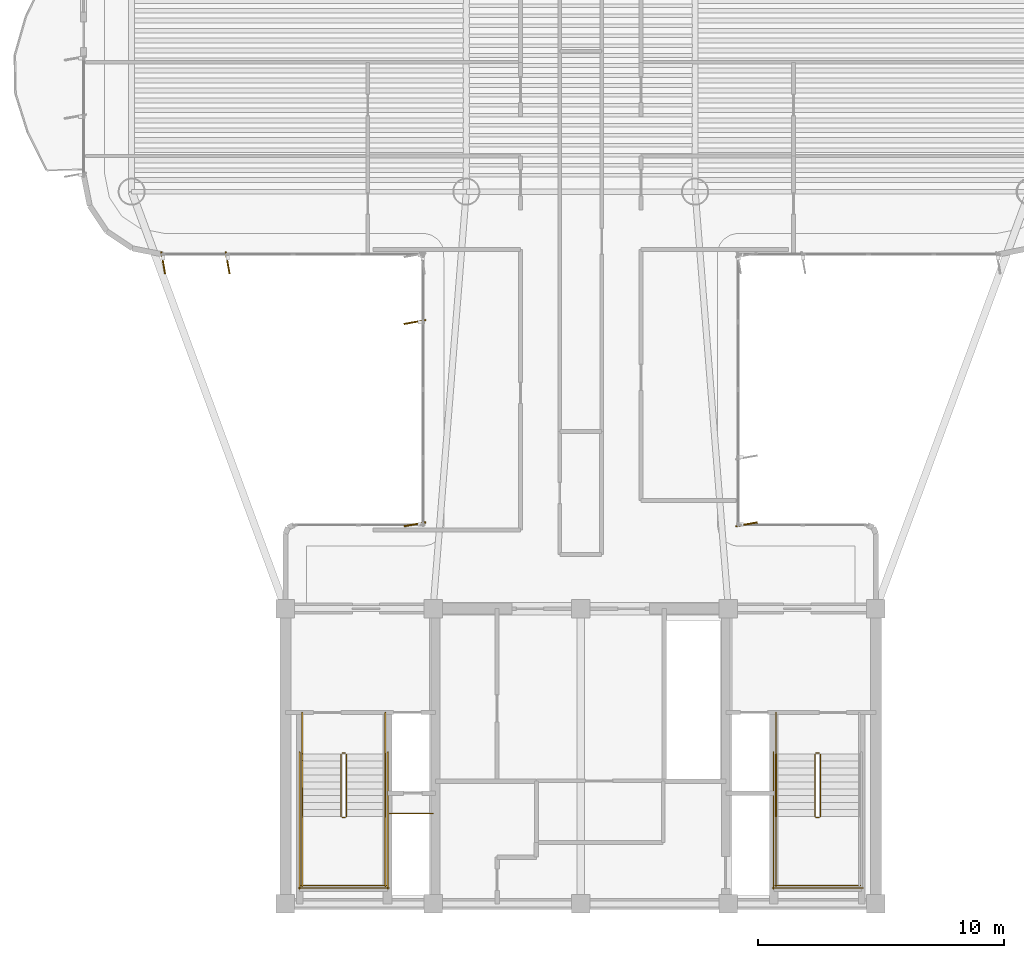
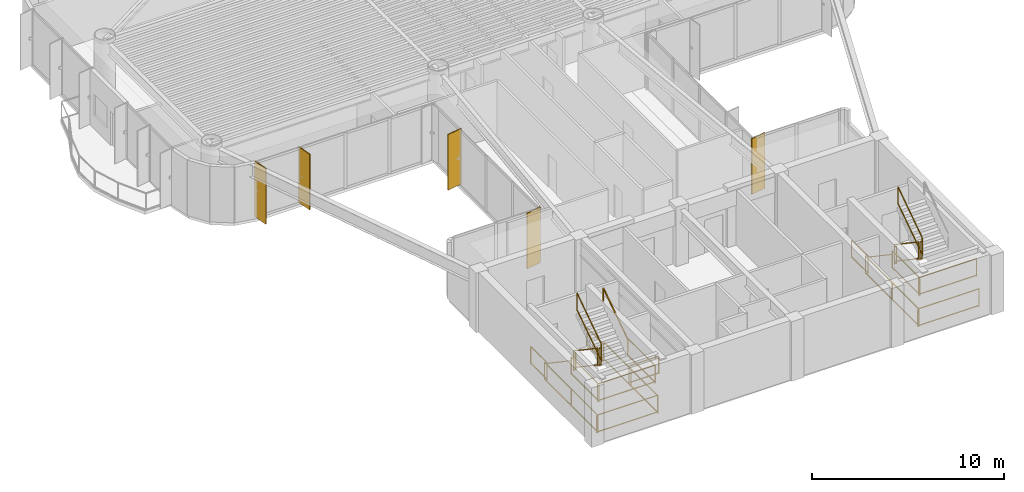
# One storey, part 13 of 14: 25 railings, 5 shading devices.
"""IFC4 building model written with IfcOpenShell, lengths in metres."""

from ifc_helpers import new_model, si_unit, direction, frame, origin, origin_2d, place, context, subcontext, project, spatial, rectangle, extrude, source, transform, mapped, material, layer, layer_set, material_profile, profile_set, type_object, element, save


model = new_model("IFC4")

# Units and contexts
model_context = context("Model", 3, precision=1e-05, world=origin(), true_north=direction((0.0, 1.0)))
body_context = subcontext(model_context, "Body", "Model", "MODEL_VIEW")
ifc_project = project(units=[si_unit("LENGTHUNIT", "METRE"), si_unit("AREAUNIT", "SQUARE_METRE"), si_unit("VOLUMEUNIT", "CUBIC_METRE"), si_unit("PLANEANGLEUNIT", "RADIAN"), si_unit("MASSUNIT", "GRAM", prefix="KILO")], contexts=[model_context])

# Site, building, storey
site_placement = place(None, origin())
site = spatial("IfcSite", under=ifc_project, at=site_placement, CompositionType="ELEMENT")
building_placement = place(site_placement, origin())
building = spatial("IfcBuilding", under=site, at=building_placement, Name="Brelvock Crest Care Tower", CompositionType="ELEMENT")
storey_placement = place(building_placement, frame((0.0, 0.0, 175.320068359375)))
storey = spatial("IfcBuildingStorey", under=building, at=storey_placement, Name="L44", CompositionType="ELEMENT", Elevation=175.320068359375)

# Railings
ifc_material_1 = material(Name="Steel Grade 350", Category="steel")
ifc_layer_1 = layer(ifc_material_1, 0.050048828125, Name="RL-STG1")
ifc_layer_set_1 = layer_set([ifc_layer_1], Name="Steel Grade 350")
railing_type_1 = type_object("IfcRailingType", Name="RL-STG1", PredefinedType="GUARDRAIL", material=ifc_layer_set_1)
railing_1_placement = place(storey_placement, frame((26.260009765625, 12.080078125, 0.18896484375)))
element("IfcRailing", 1, at=railing_1_placement, inside=storey, type_object=railing_type_1, Name="L44 ST-1 stair guard 1", PredefinedType="GUARDRAIL", context=body_context, shape_type="SweptSolid", body=[
    extrude(rectangle(XDim=0.048095703125, YDim=0.048095703125, at=origin_2d()), frame((0.0, -0.001708984375, 1.116943359375), z_axis=(0.0, -0.828861706735, 0.559453546873), x_axis=(1.0, 0.0, 0.0)), (0.0, 0.0, 1.0), 3.036376953125),
    extrude(rectangle(XDim=0.048095703125, YDim=0.048095703125, at=origin_2d()), frame((0.0, -0.001708984375, 0.05615234375), z_axis=(0.0, -0.828861706735, 0.559453546873), x_axis=(1.0, 0.0, 0.0)), (0.0, 0.0, 1.0), 3.036376953125),
    extrude(rectangle(XDim=0.0419921875, YDim=0.0419921875, at=origin_2d()), origin(), (0.0, 0.0, 1.0), 1.08984375),
    extrude(rectangle(XDim=0.0419921875, YDim=0.0419921875, at=origin_2d()), frame((0.0, -2.52001953125, 1.700927734375)), (0.0, 0.0, 1.0), 1.08984375),
])
railing_2_placement = place(storey_placement, frame((26.31005859375, 9.510009765625, 1.889892578125)))
element("IfcRailing", 2, at=railing_2_placement, inside=storey, type_object=railing_type_1, Name="L44 ST-1 stair guard 2", PredefinedType="GUARDRAIL", context=body_context, shape_type="SweptSolid", body=[
    extrude(rectangle(XDim=0.048095703125, YDim=0.048095703125, at=origin_2d()), frame((0.001953125, 0.0, 1.11572265625), z_axis=(1.0, 0.0, 0.0), x_axis=(0.0, 1.0, 0.0)), (0.0, 0.0, 1.0), 0.115966796875),
    extrude(rectangle(XDim=0.048095703125, YDim=0.048095703125, at=origin_2d()), frame((0.001953125, 0.0, 0.054931640625), z_axis=(1.0, 0.0, 0.0), x_axis=(0.0, 1.0, 0.0)), (0.0, 0.0, 1.0), 0.115966796875),
    extrude(rectangle(XDim=0.0419921875, YDim=0.0419921875, at=origin_2d()), origin(), (0.0, 0.0, 1.0), 1.08984375),
    extrude(rectangle(XDim=0.0419921875, YDim=0.0419921875, at=origin_2d()), frame((0.119873046875, 0.0, 0.0)), (0.0, 0.0, 1.0), 1.08984375),
])
for number, where, name in (
    (3, (24.679931640625, 9.56005859375, 1.889892578125), "L44 ST-1 stair guard 3"),
    (4, (28.06005859375, 9.56005859375, 1.889892578125), "L44 ST-1 stair guard 4"),
):
    element("IfcRailing", number, at=place(storey_placement, frame(where)), inside=storey, type_object=railing_type_1, Name=name, PredefinedType="GUARDRAIL", context=body_context, shape_type="SweptSolid", body=[
        extrude(rectangle(XDim=0.048095703125, YDim=0.048095703125, at=origin_2d()), frame((0.0, -0.001953125, 1.11572265625), z_axis=(0.0, -1.0, 0.0), x_axis=(1.0, 0.0, 0.0)), (0.0, 0.0, 1.0), 2.856201171875),
        extrude(rectangle(XDim=0.048095703125, YDim=0.048095703125, at=origin_2d()), frame((0.0, -0.001953125, 0.054931640625), z_axis=(0.0, -1.0, 0.0), x_axis=(1.0, 0.0, 0.0)), (0.0, 0.0, 1.0), 2.856201171875),
        extrude(rectangle(XDim=0.0419921875, YDim=0.0419921875, at=origin_2d()), origin(), (0.0, 0.0, 1.0), 1.08984375),
        extrude(rectangle(XDim=0.0419921875, YDim=0.0419921875, at=origin_2d()), frame((0.0, -2.860107421875, 0.0)), (0.0, 0.0, 1.0), 1.08984375),
    ])
railing_3_placement = place(storey_placement, frame((24.6298828125, 6.75, 1.889892578125)))
element("IfcRailing", 5, at=railing_3_placement, inside=storey, type_object=railing_type_1, Name="L44 ST-1 stair guard 5", PredefinedType="GUARDRAIL", context=body_context, shape_type="SweptSolid", body=[
    extrude(rectangle(XDim=0.048095703125, YDim=0.048095703125, at=origin_2d()), frame((0.001953125, 0.0, 1.11572265625), z_axis=(1.0, 0.0, 0.0), x_axis=(0.0, 1.0, 0.0)), (0.0, 0.0, 1.0), 3.476318359375),
    extrude(rectangle(XDim=0.048095703125, YDim=0.048095703125, at=origin_2d()), frame((0.001953125, 0.0, 0.054931640625), z_axis=(1.0, 0.0, 0.0), x_axis=(0.0, 1.0, 0.0)), (0.0, 0.0, 1.0), 3.476318359375),
    extrude(rectangle(XDim=0.0419921875, YDim=0.0419921875, at=origin_2d()), origin(), (0.0, 0.0, 1.0), 1.08984375),
    extrude(rectangle(XDim=0.0419921875, YDim=0.0419921875, at=origin_2d()), frame((3.480224609375, 0.0, 0.0)), (0.0, 0.0, 1.0), 1.08984375),
])
railing_4_placement = place(storey_placement, frame((26.47998046875, 9.56005859375, 2.078857421875)))
element("IfcRailing", 6, at=railing_4_placement, inside=storey, type_object=railing_type_1, Name="L44 ST-1 stair guard 6", PredefinedType="GUARDRAIL", context=body_context, shape_type="SweptSolid", body=[
    extrude(rectangle(XDim=0.048095703125, YDim=0.048095703125, at=origin_2d()), frame((0.0, 0.001708984375, 1.116943359375), z_axis=(0.0, 0.82882447046, 0.559508710537), x_axis=(-1.0, 0.0, 0.0)), (0.0, 0.0, 1.0), 3.036376953125),
    extrude(rectangle(XDim=0.048095703125, YDim=0.048095703125, at=origin_2d()), frame((0.0, 0.001708984375, 0.05615234375), z_axis=(0.0, 0.82882447046, 0.559508710537), x_axis=(-1.0, 0.0, 0.0)), (0.0, 0.0, 1.0), 3.036376953125),
    extrude(rectangle(XDim=0.0419921875, YDim=0.0419921875, at=origin_2d()), origin(), (0.0, 0.0, 1.0), 1.08984375),
    extrude(rectangle(XDim=0.0419921875, YDim=0.0419921875, at=origin_2d()), frame((0.0, 2.52001953125, 1.701171875)), (0.0, 0.0, 1.0), 1.08984375),
])
railing_5_placement = place(storey_placement, frame((26.31005859375, 12.1298828125, 0.0)))
element("IfcRailing", 7, at=railing_5_placement, inside=storey, type_object=railing_type_1, Name="L44 ST-1 stair guard 7", PredefinedType="GUARDRAIL", context=body_context, shape_type="SweptSolid", body=[
    extrude(rectangle(XDim=0.048095703125, YDim=0.048095703125, at=origin_2d()), frame((0.001953125, 0.0, 1.11572265625), z_axis=(1.0, 0.0, 0.0), x_axis=(0.0, 1.0, 0.0)), (0.0, 0.0, 1.0), 0.115966796875),
    extrude(rectangle(XDim=0.048095703125, YDim=0.048095703125, at=origin_2d()), frame((0.001953125, 0.0, 0.054931640625), z_axis=(1.0, 0.0, 0.0), x_axis=(0.0, 1.0, 0.0)), (0.0, 0.0, 1.0), 0.115966796875),
    extrude(rectangle(XDim=0.0419921875, YDim=0.0419921875, at=origin_2d()), origin(), (0.0, 0.0, 1.0), 1.08984375),
    extrude(rectangle(XDim=0.0419921875, YDim=0.0419921875, at=origin_2d()), frame((0.119873046875, 0.0, 0.0)), (0.0, 0.0, 1.0), 1.08984375),
])
for number, where, name in (
    (8, (24.679931640625, 13.780029296875, 0.0), "L44 ST-1 stair guard 8"),
    (9, (28.06005859375, 13.780029296875, 0.0), "L44 ST-1 stair guard 9"),
):
    element("IfcRailing", number, at=place(storey_placement, frame(where)), inside=storey, type_object=railing_type_1, Name=name, PredefinedType="GUARDRAIL", context=body_context, shape_type="SweptSolid", body=[
        extrude(rectangle(XDim=0.048095703125, YDim=0.048095703125, at=origin_2d()), frame((0.0, -0.001953125, 1.11572265625), z_axis=(0.0, -1.0, 0.0), x_axis=(1.0, 0.0, 0.0)), (0.0, 0.0, 1.0), 1.696044921875),
        extrude(rectangle(XDim=0.048095703125, YDim=0.048095703125, at=origin_2d()), frame((0.0, -0.001953125, 0.054931640625), z_axis=(0.0, -1.0, 0.0), x_axis=(1.0, 0.0, 0.0)), (0.0, 0.0, 1.0), 1.696044921875),
        extrude(rectangle(XDim=0.0419921875, YDim=0.0419921875, at=origin_2d()), origin(), (0.0, 0.0, 1.0), 1.08984375),
        extrude(rectangle(XDim=0.0419921875, YDim=0.0419921875, at=origin_2d()), frame((0.0, -1.699951171875, 0.0)), (0.0, 0.0, 1.0), 1.08984375),
    ])
for number, where, name in (
    (10, (24.580078125, 12.179931640625, 0.0), "L44 ST-1 stair guard 10"),
    (11, (28.159912109375, 12.179931640625, 0.0), "L44 ST-1 stair guard 11"),
):
    element("IfcRailing", number, at=place(storey_placement, frame(where)), inside=storey, type_object=railing_type_1, Name=name, PredefinedType="GUARDRAIL", context=body_context, shape_type="SweptSolid", body=[
        extrude(rectangle(XDim=0.048095703125, YDim=0.048095703125, at=origin_2d()), frame((0.0, -0.001953125, 1.11572265625), z_axis=(0.0, -1.0, 0.0), x_axis=(1.0, 0.0, 0.0)), (0.0, 0.0, 1.0), 5.575927734375),
        extrude(rectangle(XDim=0.048095703125, YDim=0.048095703125, at=origin_2d()), frame((0.0, -0.001953125, 0.054931640625), z_axis=(0.0, -1.0, 0.0), x_axis=(1.0, 0.0, 0.0)), (0.0, 0.0, 1.0), 5.575927734375),
        extrude(rectangle(XDim=0.0419921875, YDim=0.0419921875, at=origin_2d()), origin(), (0.0, 0.0, 1.0), 1.08984375),
        extrude(rectangle(XDim=0.0419921875, YDim=0.0419921875, at=origin_2d()), frame((0.0, -2.7900390625, 0.0)), (0.0, 0.0, 1.0), 1.08984375),
        extrude(rectangle(XDim=0.0419921875, YDim=0.0419921875, at=origin_2d()), frame((0.0, -5.579833984375, 0.0)), (0.0, 0.0, 1.0), 1.08984375),
    ])
railing_6_placement = place(storey_placement, frame((24.530029296875, 6.64990234375, 0.0)))
element("IfcRailing", 12, at=railing_6_placement, inside=storey, type_object=railing_type_1, Name="L44 ST-1 stair guard 12", PredefinedType="GUARDRAIL", context=body_context, shape_type="SweptSolid", body=[
    extrude(rectangle(XDim=0.048095703125, YDim=0.048095703125, at=origin_2d()), frame((0.001953125, 0.0, 1.11572265625), z_axis=(1.0, 0.0, 0.0), x_axis=(0.0, 1.0, 0.0)), (0.0, 0.0, 1.0), 3.676025390625),
    extrude(rectangle(XDim=0.048095703125, YDim=0.048095703125, at=origin_2d()), frame((0.001953125, 0.0, 0.054931640625), z_axis=(1.0, 0.0, 0.0), x_axis=(0.0, 1.0, 0.0)), (0.0, 0.0, 1.0), 3.676025390625),
    extrude(rectangle(XDim=0.0419921875, YDim=0.0419921875, at=origin_2d()), origin(), (0.0, 0.0, 1.0), 1.08984375),
    extrude(rectangle(XDim=0.0419921875, YDim=0.0419921875, at=origin_2d()), frame((3.679931640625, 0.0, 0.0)), (0.0, 0.0, 1.0), 1.08984375),
])
railing_7_placement = place(storey_placement, frame((45.52001953125, 12.080078125, 0.18896484375)))
element("IfcRailing", 13, at=railing_7_placement, inside=storey, type_object=railing_type_1, Name="L44 ST-2 stair guard 1", PredefinedType="GUARDRAIL", context=body_context, shape_type="SweptSolid", body=[
    extrude(rectangle(XDim=0.048095703125, YDim=0.048095703125, at=origin_2d()), frame((0.0, -0.001708984375, 1.116943359375), z_axis=(0.0, -0.828861706735, 0.559453546873), x_axis=(1.0, 0.0, 0.0)), (0.0, 0.0, 1.0), 3.036376953125),
    extrude(rectangle(XDim=0.048095703125, YDim=0.048095703125, at=origin_2d()), frame((0.0, -0.001708984375, 0.05615234375), z_axis=(0.0, -0.828861706735, 0.559453546873), x_axis=(1.0, 0.0, 0.0)), (0.0, 0.0, 1.0), 3.036376953125),
    extrude(rectangle(XDim=0.0419921875, YDim=0.0419921875, at=origin_2d()), origin(), (0.0, 0.0, 1.0), 1.08984375),
    extrude(rectangle(XDim=0.0419921875, YDim=0.0419921875, at=origin_2d()), frame((0.0, -2.52001953125, 1.700927734375)), (0.0, 0.0, 1.0), 1.08984375),
])
railing_8_placement = place(storey_placement, frame((45.570068359375, 9.510009765625, 1.889892578125)))
element("IfcRailing", 14, at=railing_8_placement, inside=storey, type_object=railing_type_1, Name="L44 ST-2 stair guard 2", PredefinedType="GUARDRAIL", context=body_context, shape_type="SweptSolid", body=[
    extrude(rectangle(XDim=0.048095703125, YDim=0.048095703125, at=origin_2d()), frame((0.001953125, 0.0, 1.11572265625), z_axis=(1.0, 0.0, 0.0), x_axis=(0.0, 1.0, 0.0)), (0.0, 0.0, 1.0), 0.115966796875),
    extrude(rectangle(XDim=0.048095703125, YDim=0.048095703125, at=origin_2d()), frame((0.001953125, 0.0, 0.054931640625), z_axis=(1.0, 0.0, 0.0), x_axis=(0.0, 1.0, 0.0)), (0.0, 0.0, 1.0), 0.115966796875),
    extrude(rectangle(XDim=0.0419921875, YDim=0.0419921875, at=origin_2d()), origin(), (0.0, 0.0, 1.0), 1.08984375),
    extrude(rectangle(XDim=0.0419921875, YDim=0.0419921875, at=origin_2d()), frame((0.119873046875, 0.0, 0.0)), (0.0, 0.0, 1.0), 1.08984375),
])
railing_9_placement = place(storey_placement, frame((43.93994140625, 9.56005859375, 1.889892578125)))
element("IfcRailing", 15, at=railing_9_placement, inside=storey, type_object=railing_type_1, Name="L44 ST-2 stair guard 3", PredefinedType="GUARDRAIL", context=body_context, shape_type="SweptSolid", body=[
    extrude(rectangle(XDim=0.048095703125, YDim=0.048095703125, at=origin_2d()), frame((0.0, -0.001953125, 1.11572265625), z_axis=(0.0, -1.0, 0.0), x_axis=(1.0, 0.0, 0.0)), (0.0, 0.0, 1.0), 2.856201171875),
    extrude(rectangle(XDim=0.048095703125, YDim=0.048095703125, at=origin_2d()), frame((0.0, -0.001953125, 0.054931640625), z_axis=(0.0, -1.0, 0.0), x_axis=(1.0, 0.0, 0.0)), (0.0, 0.0, 1.0), 2.856201171875),
    extrude(rectangle(XDim=0.0419921875, YDim=0.0419921875, at=origin_2d()), origin(), (0.0, 0.0, 1.0), 1.08984375),
    extrude(rectangle(XDim=0.0419921875, YDim=0.0419921875, at=origin_2d()), frame((0.0, -2.860107421875, 0.0)), (0.0, 0.0, 1.0), 1.08984375),
])
railing_10_placement = place(storey_placement, frame((43.889892578125, 6.75, 1.889892578125)))
element("IfcRailing", 16, at=railing_10_placement, inside=storey, type_object=railing_type_1, Name="L44 ST-2 stair guard 5", PredefinedType="GUARDRAIL", context=body_context, shape_type="SweptSolid", body=[
    extrude(rectangle(XDim=0.048095703125, YDim=0.048095703125, at=origin_2d()), frame((0.001953125, 0.0, 1.11572265625), z_axis=(1.0, 0.0, 0.0), x_axis=(0.0, 1.0, 0.0)), (0.0, 0.0, 1.0), 3.476318359375),
    extrude(rectangle(XDim=0.048095703125, YDim=0.048095703125, at=origin_2d()), frame((0.001953125, 0.0, 0.054931640625), z_axis=(1.0, 0.0, 0.0), x_axis=(0.0, 1.0, 0.0)), (0.0, 0.0, 1.0), 3.476318359375),
    extrude(rectangle(XDim=0.0419921875, YDim=0.0419921875, at=origin_2d()), origin(), (0.0, 0.0, 1.0), 1.08984375),
    extrude(rectangle(XDim=0.0419921875, YDim=0.0419921875, at=origin_2d()), frame((3.480224609375, 0.0, 0.0)), (0.0, 0.0, 1.0), 1.08984375),
])
railing_11_placement = place(storey_placement, frame((45.739990234375, 9.56005859375, 2.078857421875)))
element("IfcRailing", 17, at=railing_11_placement, inside=storey, type_object=railing_type_1, Name="L44 ST-2 stair guard 6", PredefinedType="GUARDRAIL", context=body_context, shape_type="SweptSolid", body=[
    extrude(rectangle(XDim=0.048095703125, YDim=0.048095703125, at=origin_2d()), frame((0.0, 0.001708984375, 1.116943359375), z_axis=(0.0, 0.82882447046, 0.559508710537), x_axis=(-1.0, 0.0, 0.0)), (0.0, 0.0, 1.0), 3.036376953125),
    extrude(rectangle(XDim=0.048095703125, YDim=0.048095703125, at=origin_2d()), frame((0.0, 0.001708984375, 0.05615234375), z_axis=(0.0, 0.82882447046, 0.559508710537), x_axis=(-1.0, 0.0, 0.0)), (0.0, 0.0, 1.0), 3.036376953125),
    extrude(rectangle(XDim=0.0419921875, YDim=0.0419921875, at=origin_2d()), origin(), (0.0, 0.0, 1.0), 1.08984375),
    extrude(rectangle(XDim=0.0419921875, YDim=0.0419921875, at=origin_2d()), frame((0.0, 2.52001953125, 1.701171875)), (0.0, 0.0, 1.0), 1.08984375),
])
railing_12_placement = place(storey_placement, frame((45.570068359375, 12.1298828125, 0.0)))
element("IfcRailing", 18, at=railing_12_placement, inside=storey, type_object=railing_type_1, Name="L44 ST-2 stair guard 7", PredefinedType="GUARDRAIL", context=body_context, shape_type="SweptSolid", body=[
    extrude(rectangle(XDim=0.048095703125, YDim=0.048095703125, at=origin_2d()), frame((0.001953125, 0.0, 1.11572265625), z_axis=(1.0, 0.0, 0.0), x_axis=(0.0, 1.0, 0.0)), (0.0, 0.0, 1.0), 0.115966796875),
    extrude(rectangle(XDim=0.048095703125, YDim=0.048095703125, at=origin_2d()), frame((0.001953125, 0.0, 0.054931640625), z_axis=(1.0, 0.0, 0.0), x_axis=(0.0, 1.0, 0.0)), (0.0, 0.0, 1.0), 0.115966796875),
    extrude(rectangle(XDim=0.0419921875, YDim=0.0419921875, at=origin_2d()), origin(), (0.0, 0.0, 1.0), 1.08984375),
    extrude(rectangle(XDim=0.0419921875, YDim=0.0419921875, at=origin_2d()), frame((0.119873046875, 0.0, 0.0)), (0.0, 0.0, 1.0), 1.08984375),
])
railing_13_placement = place(storey_placement, frame((43.93994140625, 13.780029296875, 0.0)))
element("IfcRailing", 19, at=railing_13_placement, inside=storey, type_object=railing_type_1, Name="L44 ST-2 stair guard 8", PredefinedType="GUARDRAIL", context=body_context, shape_type="SweptSolid", body=[
    extrude(rectangle(XDim=0.048095703125, YDim=0.048095703125, at=origin_2d()), frame((0.0, -0.001953125, 1.11572265625), z_axis=(0.0, -1.0, 0.0), x_axis=(1.0, 0.0, 0.0)), (0.0, 0.0, 1.0), 1.696044921875),
    extrude(rectangle(XDim=0.048095703125, YDim=0.048095703125, at=origin_2d()), frame((0.0, -0.001953125, 0.054931640625), z_axis=(0.0, -1.0, 0.0), x_axis=(1.0, 0.0, 0.0)), (0.0, 0.0, 1.0), 1.696044921875),
    extrude(rectangle(XDim=0.0419921875, YDim=0.0419921875, at=origin_2d()), origin(), (0.0, 0.0, 1.0), 1.08984375),
    extrude(rectangle(XDim=0.0419921875, YDim=0.0419921875, at=origin_2d()), frame((0.0, -1.699951171875, 0.0)), (0.0, 0.0, 1.0), 1.08984375),
])
railing_14_placement = place(storey_placement, frame((43.840087890625, 12.179931640625, 0.0)))
element("IfcRailing", 20, at=railing_14_placement, inside=storey, type_object=railing_type_1, Name="L44 ST-2 stair guard 10", PredefinedType="GUARDRAIL", context=body_context, shape_type="SweptSolid", body=[
    extrude(rectangle(XDim=0.048095703125, YDim=0.048095703125, at=origin_2d()), frame((0.0, -0.001953125, 1.11572265625), z_axis=(0.0, -1.0, 0.0), x_axis=(1.0, 0.0, 0.0)), (0.0, 0.0, 1.0), 5.575927734375),
    extrude(rectangle(XDim=0.048095703125, YDim=0.048095703125, at=origin_2d()), frame((0.0, -0.001953125, 0.054931640625), z_axis=(0.0, -1.0, 0.0), x_axis=(1.0, 0.0, 0.0)), (0.0, 0.0, 1.0), 5.575927734375),
    extrude(rectangle(XDim=0.0419921875, YDim=0.0419921875, at=origin_2d()), origin(), (0.0, 0.0, 1.0), 1.08984375),
    extrude(rectangle(XDim=0.0419921875, YDim=0.0419921875, at=origin_2d()), frame((0.0, -2.7900390625, 0.0)), (0.0, 0.0, 1.0), 1.08984375),
    extrude(rectangle(XDim=0.0419921875, YDim=0.0419921875, at=origin_2d()), frame((0.0, -5.579833984375, 0.0)), (0.0, 0.0, 1.0), 1.08984375),
])
railing_15_placement = place(storey_placement, frame((43.7900390625, 6.64990234375, 0.0)))
element("IfcRailing", 21, at=railing_15_placement, inside=storey, type_object=railing_type_1, Name="L44 ST-2 stair guard 12", PredefinedType="GUARDRAIL", context=body_context, shape_type="SweptSolid", body=[
    extrude(rectangle(XDim=0.048095703125, YDim=0.048095703125, at=origin_2d()), frame((0.001953125, 0.0, 1.11572265625), z_axis=(1.0, 0.0, 0.0), x_axis=(0.0, 1.0, 0.0)), (0.0, 0.0, 1.0), 3.676025390625),
    extrude(rectangle(XDim=0.048095703125, YDim=0.048095703125, at=origin_2d()), frame((0.001953125, 0.0, 0.054931640625), z_axis=(1.0, 0.0, 0.0), x_axis=(0.0, 1.0, 0.0)), (0.0, 0.0, 1.0), 3.676025390625),
    extrude(rectangle(XDim=0.0419921875, YDim=0.0419921875, at=origin_2d()), origin(), (0.0, 0.0, 1.0), 1.08984375),
    extrude(rectangle(XDim=0.0419921875, YDim=0.0419921875, at=origin_2d()), frame((3.679931640625, 0.0, 0.0)), (0.0, 0.0, 1.0), 1.08984375),
])
railing_16_placement = place(storey_placement, frame((28.219970703125, 9.679931640625, 0.0)))
element("IfcRailing", 22, at=railing_16_placement, inside=storey, type_object=railing_type_1, Name="L44 Fire Riser Threshold Guard", PredefinedType="GUARDRAIL", context=body_context, shape_type="SweptSolid", body=[
    extrude(rectangle(XDim=0.048095703125, YDim=0.048095703125, at=origin_2d()), frame((0.001953125, 0.0, 1.11572265625), z_axis=(1.0, 0.0, 0.0), x_axis=(0.0, 1.0, 0.0)), (0.0, 0.0, 1.0), 1.776123046875),
    extrude(rectangle(XDim=0.048095703125, YDim=0.048095703125, at=origin_2d()), frame((0.001953125, 0.0, 0.054931640625), z_axis=(1.0, 0.0, 0.0), x_axis=(0.0, 1.0, 0.0)), (0.0, 0.0, 1.0), 1.776123046875),
    extrude(rectangle(XDim=0.0419921875, YDim=0.0419921875, at=origin_2d()), origin(), (0.0, 0.0, 1.0), 1.08984375),
    extrude(rectangle(XDim=0.0419921875, YDim=0.0419921875, at=origin_2d()), frame((1.780029296875, 0.0, 0.0)), (0.0, 0.0, 1.0), 1.08984375),
])
ifc_layer_2 = layer(ifc_material_1, 0.048095703125, Name="RL-STH1")
ifc_layer_set_2 = layer_set([ifc_layer_2], Name="Steel Grade 350")
railing_type_2 = type_object("IfcRailingType", Name="RL-STH1", PredefinedType="HANDRAIL", material=ifc_layer_set_2)
railing_17_placement = place(storey_placement, frame((24.679931640625, 12.080078125, 0.18896484375)))
element("IfcRailing", 23, at=railing_17_placement, inside=storey, type_object=railing_type_2, Name="L44 ST-1 stair handrail 1", PredefinedType="HANDRAIL", context=body_context, shape_type="SweptSolid", body=[
    extrude(rectangle(XDim=0.048095703125, YDim=0.048095703125, at=origin_2d()), frame((0.0, -0.001708984375, 0.876953125), z_axis=(0.0, -0.828861706735, 0.559453546873), x_axis=(1.0, 0.0, 0.0)), (0.0, 0.0, 1.0), 3.036376953125),
    extrude(rectangle(XDim=0.0419921875, YDim=0.0419921875, at=origin_2d()), origin(), (0.0, 0.0, 1.0), 0.849853515625),
    extrude(rectangle(XDim=0.0419921875, YDim=0.0419921875, at=origin_2d()), frame((0.0, -2.52001953125, 1.700927734375)), (0.0, 0.0, 1.0), 0.849853515625),
])
railing_18_placement = place(storey_placement, frame((28.06005859375, 9.56005859375, 2.078857421875)))
element("IfcRailing", 24, at=railing_18_placement, inside=storey, type_object=railing_type_2, Name="L44 ST-1 stair handrail 2", PredefinedType="HANDRAIL", context=body_context, shape_type="SweptSolid", body=[
    extrude(rectangle(XDim=0.048095703125, YDim=0.048095703125, at=origin_2d()), frame((0.0, 0.001708984375, 0.876953125), z_axis=(0.0, 0.82882447046, 0.559508710537), x_axis=(-1.0, 0.0, 0.0)), (0.0, 0.0, 1.0), 3.036376953125),
    extrude(rectangle(XDim=0.0419921875, YDim=0.0419921875, at=origin_2d()), origin(), (0.0, 0.0, 1.0), 0.849853515625),
    extrude(rectangle(XDim=0.0419921875, YDim=0.0419921875, at=origin_2d()), frame((0.0, 2.52001953125, 1.701171875)), (0.0, 0.0, 1.0), 0.849853515625),
])
railing_19_placement = place(storey_placement, frame((43.93994140625, 12.080078125, 0.18896484375)))
element("IfcRailing", 25, at=railing_19_placement, inside=storey, type_object=railing_type_2, Name="L44 ST-2 stair handrail 1", PredefinedType="HANDRAIL", context=body_context, shape_type="SweptSolid", body=[
    extrude(rectangle(XDim=0.048095703125, YDim=0.048095703125, at=origin_2d()), frame((0.0, -0.001708984375, 0.876953125), z_axis=(0.0, -0.828861706735, 0.559453546873), x_axis=(1.0, 0.0, 0.0)), (0.0, 0.0, 1.0), 3.036376953125),
    extrude(rectangle(XDim=0.0419921875, YDim=0.0419921875, at=origin_2d()), origin(), (0.0, 0.0, 1.0), 0.849853515625),
    extrude(rectangle(XDim=0.0419921875, YDim=0.0419921875, at=origin_2d()), frame((0.0, -2.52001953125, 1.700927734375)), (0.0, 0.0, 1.0), 0.849853515625),
])

# Shading devices
ifc_material_2 = material(Name="Aluminium 6063-T6", Category="aluminium")
ifc_material_profile = material_profile(ifc_material_2, rectangle(XDim=0.054931640625, YDim=0.89990234375, at=origin_2d()), Name="FIN55x900")
ifc_profile_set = profile_set([ifc_material_profile], Name="Aluminium 6063-T6")
shading_device_type = type_object("IfcShadingDeviceType", Name="SHD-FIN1", PredefinedType="USERDEFINED", material=ifc_profile_set)
shared_shape = source(origin(), body_context, "Body", "SweptSolid", [
    extrude(rectangle(XDim=0.054931640625, YDim=0.89990234375, at=origin_2d()), origin(), (0.0, 0.0, 1.0), 3.530029296875),
])
for number, where, z_axis, x_axis, name in (
    (26, (29.260009765625, 21.429931640625, 0.0), (0.0, 0.0, 1.0), (-0.173648177667, 0.984807753012, 0.0), "L44 Vertical Sunshade Fin E11-01"),
    (27, (29.260009765625, 29.64990234375, 0.0), (0.0, 0.0, 1.0), (-0.173648177667, 0.984807753012, 0.0), "L44 Vertical Sunshade Fin E11-04"),
    (28, (21.64990234375, 32.06005859375, 0.0), (0.0, 0.0, 1.0), (-0.984807753012, -0.173648177667, 0.0), "L44 Vertical Sunshade Fin E12-04"),
    (29, (19.030029296875, 32.06005859375, 0.0), (0.0, 0.0, 1.0), (-0.984807753012, -0.173648177667, 0.0), "L44 Vertical Sunshade Fin E12-05"),
    (30, (42.739990234375, 21.429931640625, 0.0), (0.0, 0.0, 1.0), (0.173648177667, -0.984807753012, 0.0), "L44 Vertical Sunshade Fin E45-05"),
):
    element("IfcShadingDevice", number, at=place(storey_placement, frame(where, z_axis=z_axis, x_axis=x_axis)), inside=storey, type_object=shading_device_type, Name=name, ObjectType="FIN", PredefinedType="USERDEFINED", context=body_context, shape_type="MappedRepresentation", body=[
        mapped(shared_shape, transform((0.0, 0.0, 0.0), x_axis=(1.0, 0.0, 0.0), y_axis=(0.0, 1.0, 0.0), z_axis=(0.0, 0.0, 1.0), scale=1.0)),
    ])

save(model, "model.ifc")
